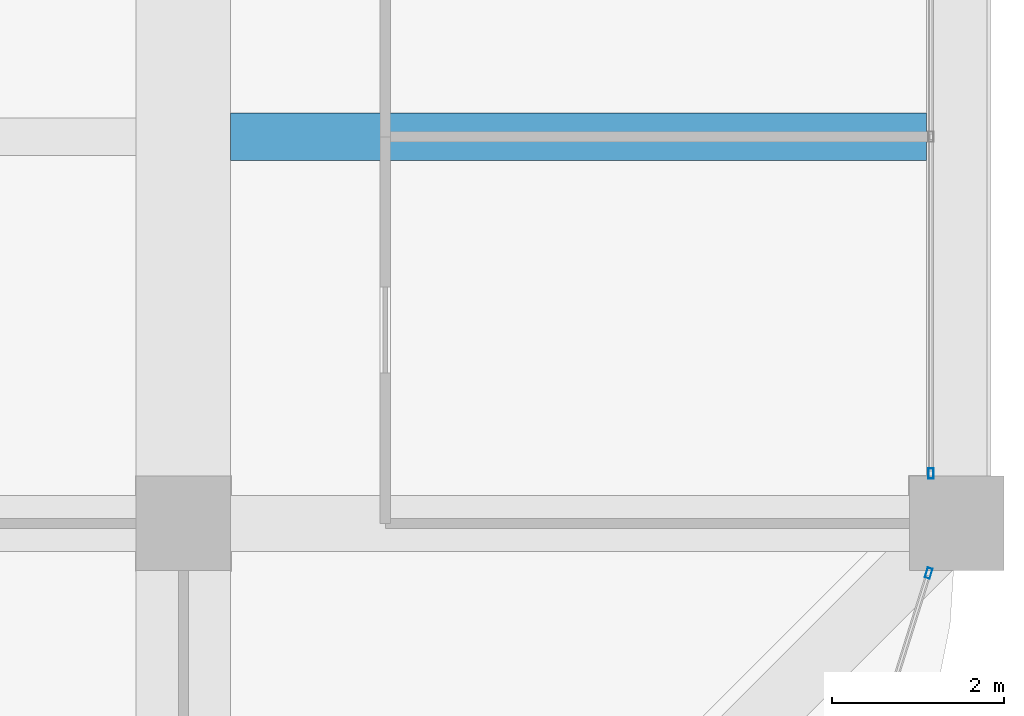
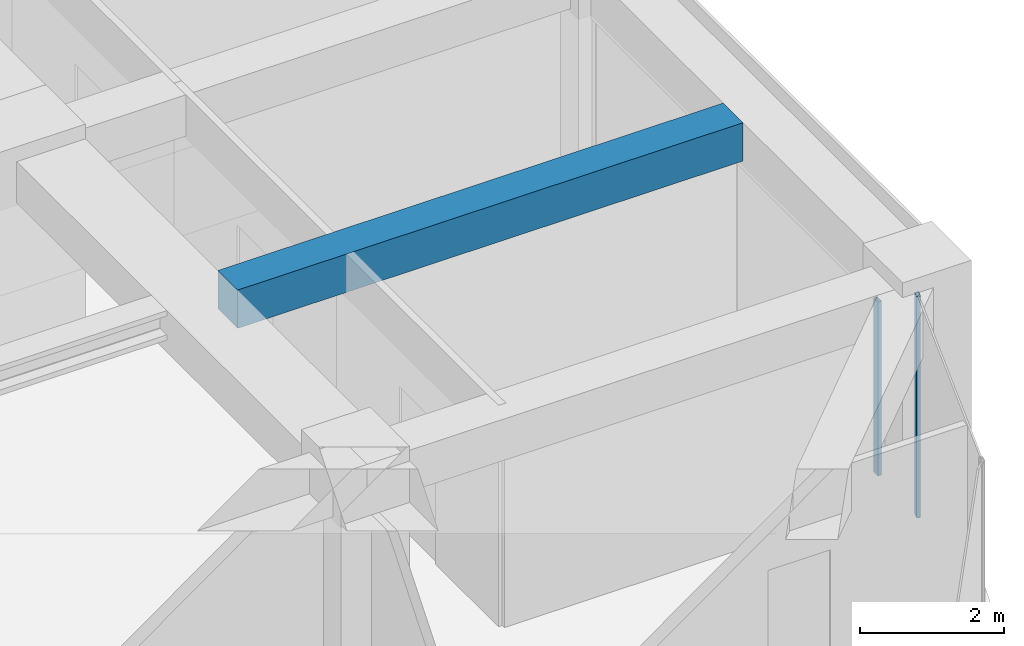
# One storey, part 22 of 45: 2 members, 1 beam, 2 elements without a shape of their own.
"""IFC4 building model written with IfcOpenShell, lengths in metres."""

from ifc_helpers import new_model, si_unit, direction, frame, origin, origin_2d, place, context, subcontext, project, spatial, rectangle, hollow_rectangle, extrude, material, material_profile, profile_set, type_object, element, aggregate, save


model = new_model("IFC4")

# Units and contexts
model_context = context("Model", 3, precision=1e-05, world=origin(), true_north=direction((0.0, 1.0)))
body_context = subcontext(model_context, "Body", "Model", "MODEL_VIEW")
ifc_project = project(units=[si_unit("LENGTHUNIT", "METRE"), si_unit("AREAUNIT", "SQUARE_METRE"), si_unit("VOLUMEUNIT", "CUBIC_METRE"), si_unit("PLANEANGLEUNIT", "RADIAN"), si_unit("MASSUNIT", "GRAM", prefix="KILO")], contexts=[model_context])

# Site, building, storey
site_placement = place(None, origin())
site = spatial("IfcSite", under=ifc_project, at=site_placement, CompositionType="ELEMENT")
building_placement = place(site_placement, origin())
building = spatial("IfcBuilding", under=site, at=building_placement, Name="Zorevar Civic Tower", CompositionType="ELEMENT")
storey_placement = place(building_placement, frame((0.0, 0.0, 279.39990234375)))
storey = spatial("IfcBuildingStorey", under=building, at=storey_placement, Name="L68", CompositionType="ELEMENT", Elevation=279.39990234375)

# Beam
ifc_material_1 = material(Name="Concrete C50/60", Category="concrete")
ifc_material_profile_1 = material_profile(ifc_material_1, rectangle(XDim=0.550048828125, YDim=0.64990234375, at=origin_2d()), Name="RC 550x650")
ifc_profile_set_1 = profile_set([ifc_material_profile_1], Name="Concrete C50/60")
beam_type = type_object("IfcBeamType", Name="Beam RC 550x650", PredefinedType="BEAM", material=ifc_profile_set_1)
beam_placement = place(storey_placement, frame((45.550048828125, 13.5, 3.425048828125), z_axis=(1.0, 0.0, 0.0), x_axis=(0.0, 1.0, 0.0)))
element("IfcBeam", 1, at=beam_placement, inside=storey, type_object=beam_type, Name="Secondary beam L69", PredefinedType="BEAM", context=body_context, shape_type="SweptSolid", body=[
    extrude(rectangle(XDim=0.550048828125, YDim=0.64990234375, at=origin_2d()), origin(), (0.0, 0.0, 1.0), 8.099853515625),
])

# Curtain wall, member
ifc_material_2 = material(Name="Dark grey solar-control glass in black aluminium frame", Category="aluminium")
curtain_wall_type = type_object("IfcCurtainWallType", Name="Curtain wall CW5 top zone", PredefinedType="NOTDEFINED", material=ifc_material_2)
curtain_wall_1_placement = place(storey_placement, origin())
curtain_wall_1 = element("IfcCurtainWall", 2, at=curtain_wall_1_placement, inside=storey, type_object=curtain_wall_type, Name="CW5 L68", PredefinedType="NOTDEFINED")
ifc_material_3 = material(Name="Aluminium, black anodised", Category="aluminium")
ifc_material_profile_2 = material_profile(ifc_material_3, hollow_rectangle(XDim=0.06005859375, YDim=0.1201171875, WallThickness=0.0029296875, at=origin_2d()), Name="AL 120x60x3")
ifc_profile_set_2 = profile_set([ifc_material_profile_2], Name="Aluminium, black anodised")
member_type = type_object("IfcMemberType", Name="CW5 mullion AL 120x60x3", PredefinedType="MULLION", material=ifc_profile_set_2)
member_1_placement = place(storey_placement, frame((53.699951171875, 9.580078125, 0.0), z_axis=(0.0, 0.0, 1.0), x_axis=(-1.0, 0.0, 0.0)))
member_1 = element("IfcMember", 3, at=member_1_placement, type_object=member_type, Name="CW5 mullion 1", PredefinedType="MULLION", context=body_context, shape_type="SweptSolid", body=[
    extrude(hollow_rectangle(XDim=0.06005859375, YDim=0.1201171875, WallThickness=0.0029296875, at=origin_2d()), origin(), (0.0, 0.0, 1.0), 2.9501953125),
])
aggregate(curtain_wall_1, [member_1])

curtain_wall_2_placement = place(storey_placement, origin())
curtain_wall_2 = element("IfcCurtainWall", 4, at=curtain_wall_2_placement, inside=storey, type_object=curtain_wall_type, Name="CW5 L68", PredefinedType="NOTDEFINED")
member_2_placement = place(storey_placement, frame((53.673583984375, 8.42138671875, 0.0), z_axis=(0.0, 0.0, 1.0), x_axis=(-0.954153437674, 0.299317920238, 0.0)))
member_2 = element("IfcMember", 5, at=member_2_placement, type_object=member_type, Name="CW5 mullion 2", PredefinedType="MULLION", context=body_context, shape_type="SweptSolid", body=[
    extrude(hollow_rectangle(XDim=0.06005859375, YDim=0.1201171875, WallThickness=0.0029296875, at=origin_2d()), origin(), (0.0, 0.0, 1.0), 3.75),
])
aggregate(curtain_wall_2, [member_2])

save(model, "model.ifc")
